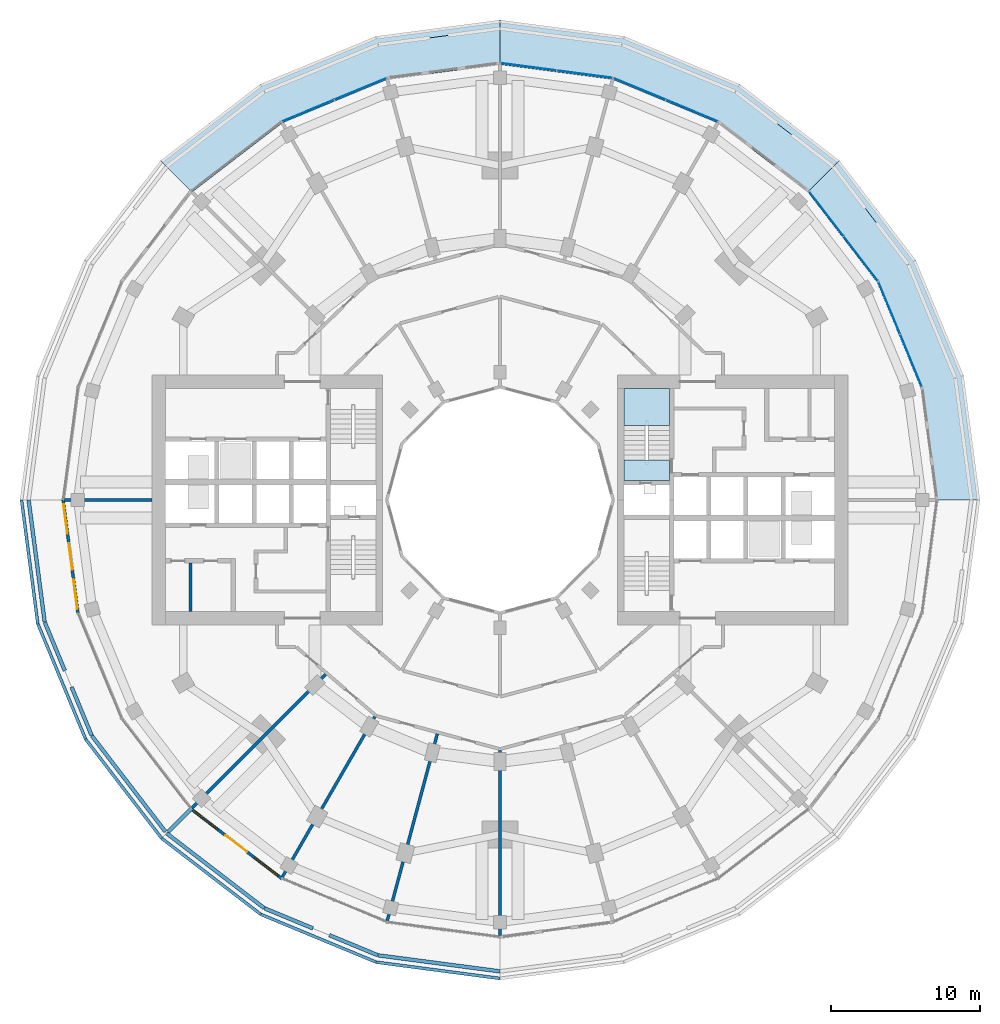
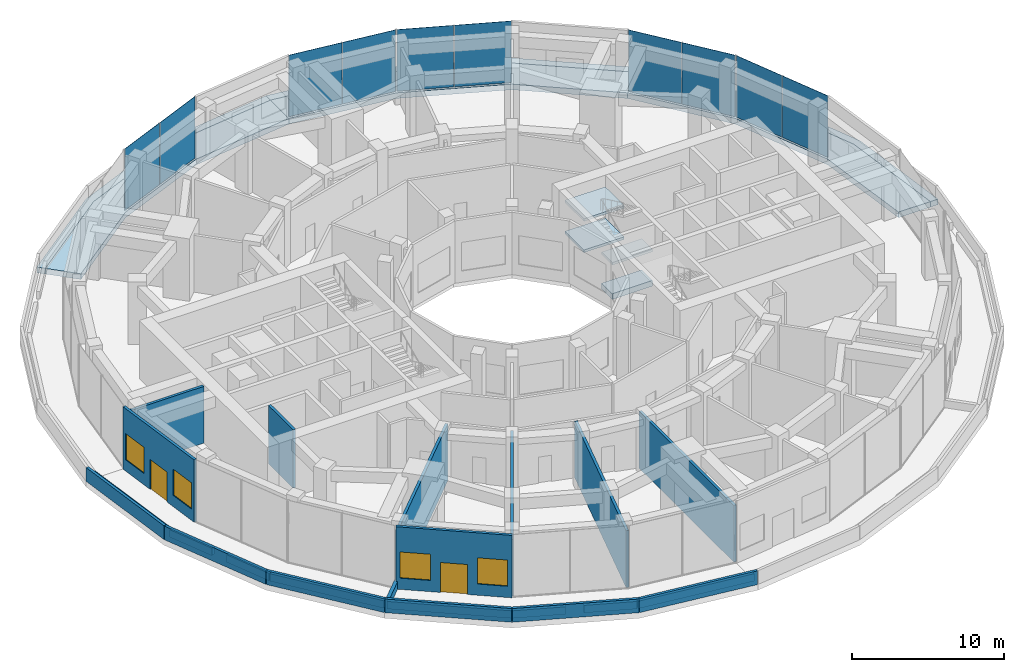
# One storey, part 11 of 19: 23 walls, 10 plates, 10 slabs, 4 windows, 2 doors, 6 openings, 6 elements without a shape of their own.
"""IFC4 building model written with IfcOpenShell, lengths in metres."""

from ifc_helpers import new_model, si_unit, direction, frame, frame_2d, origin, origin_2d, place, context, subcontext, project, spatial, polyline, rectangle, outline, extrude, material, layer, layer_set, type_object, element, fill, aggregate, save


model = new_model("IFC4")

# Units and contexts
model_context = context("Model", 3, precision=1e-05, world=origin(), true_north=direction((0.0, 1.0)))
body_context = subcontext(model_context, "Body", "Model", "MODEL_VIEW")
ifc_project = project(units=[si_unit("LENGTHUNIT", "METRE"), si_unit("AREAUNIT", "SQUARE_METRE"), si_unit("VOLUMEUNIT", "CUBIC_METRE"), si_unit("PLANEANGLEUNIT", "RADIAN"), si_unit("MASSUNIT", "GRAM", prefix="KILO")], contexts=[model_context])

# Site, building, storey
site_placement = place(None, origin())
site = spatial("IfcSite", under=ifc_project, at=site_placement, CompositionType="ELEMENT")
building_placement = place(site_placement, origin())
building = spatial("IfcBuilding", under=site, at=building_placement, Name="Torre Brocal", CompositionType="ELEMENT")
storey_placement = place(building_placement, frame((0.0, 0.0, 23.800048828125)))
storey = spatial("IfcBuildingStorey", under=building, at=storey_placement, Name="L04", CompositionType="ELEMENT", Elevation=23.800048828125)

# Curtain wall, plates
ifc_material_1 = material(Name="Aluminium and glass", Category="aluminium")
ifc_layer_1 = layer(ifc_material_1, 0.199951171875)
ifc_layer_set_1 = layer_set([ifc_layer_1], Name="Aluminium and glass")
curtain_wall_type = type_object("IfcCurtainWallType", Name="CW-6 CURTAIN WALL 5000 HIGH", PredefinedType="NOTDEFINED", material=ifc_layer_set_1)
curtain_wall_1_placement = place(storey_placement, origin())
curtain_wall_1 = element("IfcCurtainWall", 1, at=curtain_wall_1_placement, inside=storey, type_object=curtain_wall_type, Name="CW-6 RUN 2", PredefinedType="NOTDEFINED")
ifc_material_2 = material(Name="Glass, dark tinted laminated", Category="glass")
ifc_layer_2 = layer(ifc_material_2, 0.028076171875)
ifc_layer_set_2 = layer_set([ifc_layer_2], Name="Glass, dark tinted laminated")
plate_type = type_object("IfcPlateType", Name="CW-6 GLASS PANEL 28", PredefinedType="CURTAIN_PANEL", material=ifc_layer_set_2)
plate_1_placement = place(storey_placement, frame((107.658447265625, 84.393310546875, 0.06982421875), z_axis=(0.0, 0.0, 1.0), x_axis=(-0.382683432365, 0.923879532511, 0.0)))
plate_1 = element("IfcPlate", 2, at=plate_1_placement, type_object=plate_type, Name="CW6-3 panel 1.1", PredefinedType="CURTAIN_PANEL", context=body_context, shape_type="SweptSolid", body=[
    extrude(rectangle(XDim=3.762451171875, YDim=0.028076171875, at=origin_2d()), origin(), (0.0, 0.0, 1.0), 4.929931640625),
])
plate_2_placement = place(storey_placement, frame((106.199462890625, 87.915283203125, 0.06982421875), z_axis=(0.0, 0.0, 1.0), x_axis=(-0.382683432365, 0.923879532511, 0.0)))
plate_2 = element("IfcPlate", 3, at=plate_2_placement, type_object=plate_type, Name="CW6-3 panel 2.1", PredefinedType="CURTAIN_PANEL", context=body_context, shape_type="SweptSolid", body=[
    extrude(rectangle(XDim=3.762451171875, YDim=0.028076171875, at=origin_2d()), origin(), (0.0, 0.0, 1.0), 4.929931640625),
])
aggregate(curtain_wall_1, [plate_1, plate_2])

curtain_wall_2_placement = place(storey_placement, origin())
curtain_wall_2 = element("IfcCurtainWall", 4, at=curtain_wall_2_placement, inside=storey, type_object=curtain_wall_type, Name="CW-6 RUN 3", PredefinedType="NOTDEFINED")
plate_3_placement = place(storey_placement, frame((104.28466796875, 91.231689453125, 0.06982421875), z_axis=(0.0, 0.0, 1.0), x_axis=(-0.608761429009, 0.793353340291, 0.0)))
plate_3 = element("IfcPlate", 5, at=plate_3_placement, type_object=plate_type, Name="CW6-3 panel 1.1", PredefinedType="CURTAIN_PANEL", context=body_context, shape_type="SweptSolid", body=[
    extrude(rectangle(XDim=3.762451171875, YDim=0.028076171875, at=origin_2d()), origin(), (0.0, 0.0, 1.0), 4.929931640625),
])
plate_4_placement = place(storey_placement, frame((101.9638671875, 94.256103515625, 0.06982421875), z_axis=(0.0, 0.0, 1.0), x_axis=(-0.608761429009, 0.793353340291, 0.0)))
plate_4 = element("IfcPlate", 6, at=plate_4_placement, type_object=plate_type, Name="CW6-3 panel 2.1", PredefinedType="CURTAIN_PANEL", context=body_context, shape_type="SweptSolid", body=[
    extrude(rectangle(XDim=3.762451171875, YDim=0.028076171875, at=origin_2d()), origin(), (0.0, 0.0, 1.0), 4.929931640625),
])
aggregate(curtain_wall_2, [plate_3, plate_4])

curtain_wall_3_placement = place(storey_placement, origin())
curtain_wall_3 = element("IfcCurtainWall", 7, at=curtain_wall_3_placement, inside=storey, type_object=curtain_wall_type, Name="CW-6 RUN 5", PredefinedType="NOTDEFINED")
plate_5_placement = place(storey_placement, frame((92.915283203125, 101.199462890625, 0.06982421875), z_axis=(0.0, 0.0, 1.0), x_axis=(-0.923879532511, 0.382683432365, 0.0)))
plate_5 = element("IfcPlate", 8, at=plate_5_placement, type_object=plate_type, Name="CW6-3 panel 1.1", PredefinedType="CURTAIN_PANEL", context=body_context, shape_type="SweptSolid", body=[
    extrude(rectangle(XDim=3.762451171875, YDim=0.028076171875, at=origin_2d()), origin(), (0.0, 0.0, 1.0), 4.929931640625),
])
plate_6_placement = place(storey_placement, frame((89.393310546875, 102.658447265625, 0.06982421875), z_axis=(0.0, 0.0, 1.0), x_axis=(-0.923879532511, 0.382683432365, 0.0)))
plate_6 = element("IfcPlate", 9, at=plate_6_placement, type_object=plate_type, Name="CW6-3 panel 2.1", PredefinedType="CURTAIN_PANEL", context=body_context, shape_type="SweptSolid", body=[
    extrude(rectangle(XDim=3.762451171875, YDim=0.028076171875, at=origin_2d()), origin(), (0.0, 0.0, 1.0), 4.929931640625),
])
aggregate(curtain_wall_3, [plate_5, plate_6])

curtain_wall_4_placement = place(storey_placement, origin())
curtain_wall_4 = element("IfcCurtainWall", 10, at=curtain_wall_4_placement, inside=storey, type_object=curtain_wall_type, Name="CW-6 RUN 6", PredefinedType="NOTDEFINED")
plate_7_placement = place(storey_placement, frame((85.6943359375, 103.6494140625, 0.06982421875), z_axis=(0.0, 0.0, 1.0), x_axis=(-0.991444861367, 0.130526192272, 0.0)))
plate_7 = element("IfcPlate", 11, at=plate_7_placement, type_object=plate_type, Name="CW6-3 panel 1.1", PredefinedType="CURTAIN_PANEL", context=body_context, shape_type="SweptSolid", body=[
    extrude(rectangle(XDim=3.762451171875, YDim=0.028076171875, at=origin_2d()), origin(), (0.0, 0.0, 1.0), 4.929931640625),
])
plate_8_placement = place(storey_placement, frame((81.91455078125, 104.14697265625, 0.06982421875), z_axis=(0.0, 0.0, 1.0), x_axis=(-0.991444861367, 0.130526192272, 0.0)))
plate_8 = element("IfcPlate", 12, at=plate_8_placement, type_object=plate_type, Name="CW6-3 panel 2.1", PredefinedType="CURTAIN_PANEL", context=body_context, shape_type="SweptSolid", body=[
    extrude(rectangle(XDim=3.762451171875, YDim=0.028076171875, at=origin_2d()), origin(), (0.0, 0.0, 1.0), 4.929931640625),
])
aggregate(curtain_wall_4, [plate_7, plate_8])

curtain_wall_5_placement = place(storey_placement, origin())
curtain_wall_5 = element("IfcCurtainWall", 13, at=curtain_wall_5_placement, inside=storey, type_object=curtain_wall_type, Name="CW-6 RUN 8", PredefinedType="NOTDEFINED")
plate_9_placement = place(storey_placement, frame((70.606689453125, 102.658447265625, 0.06982421875), z_axis=(0.0, 0.0, 1.0), x_axis=(-0.923879532511, -0.382683432365, 0.0)))
plate_9 = element("IfcPlate", 14, at=plate_9_placement, type_object=plate_type, Name="CW6-3 panel 1.1", PredefinedType="CURTAIN_PANEL", context=body_context, shape_type="SweptSolid", body=[
    extrude(rectangle(XDim=3.762451171875, YDim=0.028076171875, at=origin_2d()), origin(), (0.0, 0.0, 1.0), 4.929931640625),
])
plate_10_placement = place(storey_placement, frame((67.084716796875, 101.199462890625, 0.06982421875), z_axis=(0.0, 0.0, 1.0), x_axis=(-0.923879532511, -0.382683432365, 0.0)))
plate_10 = element("IfcPlate", 15, at=plate_10_placement, type_object=plate_type, Name="CW6-3 panel 2.1", PredefinedType="CURTAIN_PANEL", context=body_context, shape_type="SweptSolid", body=[
    extrude(rectangle(XDim=3.762451171875, YDim=0.028076171875, at=origin_2d()), origin(), (0.0, 0.0, 1.0), 4.929931640625),
])
aggregate(curtain_wall_5, [plate_9, plate_10])

# Stair, slab
ifc_material_3 = material(Name="Concrete C50", Category="concrete")
stair_type = type_object("IfcStairType", Name="EXIT STAIR", PredefinedType="HALF_TURN_STAIR", material=ifc_material_3)
stair_placement = place(storey_placement, origin())
stair = element("IfcStair", 16, at=stair_placement, inside=storey, type_object=stair_type, Name="EXIT STAIR ST1", PredefinedType="HALF_TURN_STAIR")
ifc_material_4 = material(Name="Concrete C50", Category="concrete")
ifc_layer_3 = layer(ifc_material_4, 0.449951171875)
ifc_layer_set_3 = layer_set([ifc_layer_3], Name="Concrete C50")
slab_type_1 = type_object("IfcSlabType", Name="FLOOR LANDING 450", PredefinedType="LANDING", material=ifc_layer_set_3)
slab_1_placement = place(storey_placement, frame((0.0, 0.0, -0.449951171875)))
slab_1 = element("IfcSlab", 17, at=slab_1_placement, type_object=slab_type_1, Name="ST1 landing 1", PredefinedType="LANDING", context=body_context, shape_type="SweptSolid", body=[
    extrude(outline(polyline([(88.35009765625, 76.300048828125), (91.39990234375, 76.300048828125), (91.39990234375, 77.699951171875), (88.35009765625, 77.699951171875), (88.35009765625, 76.300048828125)])), origin(), (0.0, 0.0, 1.0), 0.449951171875),
])

# Slabs
ifc_material_5 = material(Name="Concrete C45", Category="concrete")
ifc_layer_4 = layer(ifc_material_5, 0.449951171875)
ifc_layer_set_4 = layer_set([ifc_layer_4], Name="Concrete C45")
slab_type_2 = type_object("IfcSlabType", Name="GREEN ROOF PLANTING BED SLAB 450 C45", PredefinedType="ROOF", material=ifc_layer_set_4)
slab_2_placement = place(storey_placement, frame((0.0, 0.0, -0.449951171875)))
element("IfcSlab", 18, at=slab_2_placement, inside=storey, type_object=slab_type_2, Name="Slab ST-04", PredefinedType="ROOF", context=body_context, shape_type="SweptSolid", body=[
    extrude(outline(polyline([(112.29833984375, 75.0), (111.718994140625, 75.0), (110.63818359375, 83.20947265625), (107.469482421875, 90.859375), (102.4287109375, 97.4287109375), (102.83837890625, 97.83837890625), (107.97119140625, 91.149169921875), (111.19775390625, 83.359375), (112.29833984375, 75.0)])), origin(), (0.0, 0.0, 1.0), 0.449951171875),
])
slab_3_placement = place(storey_placement, frame((0.0, 0.0, -0.449951171875)))
element("IfcSlab", 19, at=slab_3_placement, inside=storey, type_object=slab_type_2, Name="Slab ST-04", PredefinedType="ROOF", context=body_context, shape_type="SweptSolid", body=[
    extrude(outline(polyline([(102.83837890625, 97.83837890625), (102.4287109375, 97.4287109375), (95.859375, 102.469482421875), (88.20947265625, 105.63818359375), (80.0, 106.718994140625), (80.0, 107.29833984375), (88.359375, 106.19775390625), (96.149169921875, 102.97119140625), (102.83837890625, 97.83837890625)])), origin(), (0.0, 0.0, 1.0), 0.449951171875),
])
slab_4_placement = place(storey_placement, frame((0.0, 0.0, -0.449951171875)))
element("IfcSlab", 20, at=slab_4_placement, inside=storey, type_object=slab_type_2, Name="Slab ST-04", PredefinedType="ROOF", context=body_context, shape_type="SweptSolid", body=[
    extrude(outline(polyline([(57.16162109375, 97.83837890625), (63.850830078125, 102.97119140625), (71.640625, 106.19775390625), (80.0, 107.29833984375), (80.0, 106.718994140625), (71.79052734375, 105.63818359375), (64.140625, 102.469482421875), (57.5712890625, 97.4287109375), (57.16162109375, 97.83837890625)])), origin(), (0.0, 0.0, 1.0), 0.449951171875),
])

# Slab
ifc_material_6 = material(Name="Concrete C50", Category="concrete")
ifc_layer_5 = layer(ifc_material_6, 0.199951171875)
ifc_layer_set_5 = layer_set([ifc_layer_5], Name="Concrete C50")
slab_type_3 = type_object("IfcSlabType", Name="MID LANDING +1250", PredefinedType="LANDING", material=ifc_layer_set_5)
slab_5_placement = place(storey_placement, frame((0.0, 0.0, 1.050048828125)))
slab_5 = element("IfcSlab", 21, at=slab_5_placement, type_object=slab_type_3, Name="ST1 landing 2", PredefinedType="LANDING", context=body_context, shape_type="SweptSolid", body=[
    extrude(outline(polyline([(88.35009765625, 80.010009765625), (91.39990234375, 80.010009765625), (91.39990234375, 82.5), (88.35009765625, 82.5), (88.35009765625, 80.010009765625)])), origin(), (0.0, 0.0, 1.0), 0.199951171875),
])

ifc_material_7 = material(Name="Concrete C50", Category="concrete")
ifc_layer_6 = layer(ifc_material_7, 0.199951171875)
ifc_layer_set_6 = layer_set([ifc_layer_6], Name="Concrete C50")
slab_type_4 = type_object("IfcSlabType", Name="MID LANDING +2500", PredefinedType="LANDING", material=ifc_layer_set_6)
slab_6_placement = place(storey_placement, frame((0.0, 0.0, 2.300048828125)))
slab_6 = element("IfcSlab", 22, at=slab_6_placement, type_object=slab_type_4, Name="ST1 landing 3", PredefinedType="LANDING", context=body_context, shape_type="SweptSolid", body=[
    extrude(outline(polyline([(88.35009765625, 76.300048828125), (91.39990234375, 76.300048828125), (91.39990234375, 77.699951171875), (88.35009765625, 77.699951171875), (88.35009765625, 76.300048828125)])), origin(), (0.0, 0.0, 1.0), 0.199951171875),
])

ifc_material_8 = material(Name="Concrete C50", Category="concrete")
ifc_layer_7 = layer(ifc_material_8, 0.199951171875)
ifc_layer_set_7 = layer_set([ifc_layer_7], Name="Concrete C50")
slab_type_5 = type_object("IfcSlabType", Name="MID LANDING +3750", PredefinedType="LANDING", material=ifc_layer_set_7)
slab_7_placement = place(storey_placement, frame((0.0, 0.0, 3.550048828125)))
slab_7 = element("IfcSlab", 23, at=slab_7_placement, type_object=slab_type_5, Name="ST1 landing 4", PredefinedType="LANDING", context=body_context, shape_type="SweptSolid", body=[
    extrude(outline(polyline([(88.35009765625, 80.010009765625), (91.39990234375, 80.010009765625), (91.39990234375, 82.5), (88.35009765625, 82.5), (88.35009765625, 80.010009765625)])), origin(), (0.0, 0.0, 1.0), 0.199951171875),
])

aggregate(stair, [slab_1, slab_5, slab_6, slab_7])

# Slabs
ifc_material_9 = material(Name="Concrete C45", Category="concrete")
ifc_layer_8 = layer(ifc_material_9, 0.449951171875)
ifc_layer_set_8 = layer_set([ifc_layer_8], Name="Concrete C45")
slab_type_6 = type_object("IfcSlabType", Name="PT TERRACE SLAB 450 C45", PredefinedType="ROOF", material=ifc_layer_set_8)
slab_8_placement = place(storey_placement, frame((0.0, 0.0, -0.449951171875)))
element("IfcSlab", 24, at=slab_8_placement, inside=storey, type_object=slab_type_6, Name="Slab ST-03", PredefinedType="ROOF", context=body_context, shape_type="SweptSolid", body=[
    extrude(outline(polyline([(108.300048828125, 82.5830078125), (105.373046875, 89.649169921875), (100.717041015625, 95.717041015625), (102.4287109375, 97.4287109375), (107.469482421875, 90.859375), (110.63818359375, 83.20947265625), (111.718994140625, 75.0), (109.29833984375, 75.0), (108.300048828125, 82.5830078125)])), origin(), (0.0, 0.0, 1.0), 0.449951171875),
])
slab_9_placement = place(storey_placement, frame((0.0, 0.0, -0.449951171875)))
element("IfcSlab", 25, at=slab_9_placement, inside=storey, type_object=slab_type_6, Name="Slab ST-03", PredefinedType="ROOF", context=body_context, shape_type="SweptSolid", body=[
    extrude(outline(polyline([(94.649169921875, 100.373046875), (87.5830078125, 103.300048828125), (80.0, 104.29833984375), (80.0, 106.718994140625), (88.20947265625, 105.63818359375), (95.859375, 102.469482421875), (102.4287109375, 97.4287109375), (100.717041015625, 95.717041015625), (94.649169921875, 100.373046875)])), origin(), (0.0, 0.0, 1.0), 0.449951171875),
])
slab_10_placement = place(storey_placement, frame((0.0, 0.0, -0.449951171875)))
element("IfcSlab", 26, at=slab_10_placement, inside=storey, type_object=slab_type_6, Name="Slab ST-03", PredefinedType="ROOF", context=body_context, shape_type="SweptSolid", body=[
    extrude(outline(polyline([(72.4169921875, 103.300048828125), (65.350830078125, 100.373046875), (59.282958984375, 95.717041015625), (57.5712890625, 97.4287109375), (64.140625, 102.469482421875), (71.79052734375, 105.63818359375), (80.0, 106.718994140625), (80.0, 104.29833984375), (72.4169921875, 103.300048828125)])), origin(), (0.0, 0.0, 1.0), 0.449951171875),
])

# Wall
ifc_material_10 = material(Name="Masonry block", Category="masonry")
ifc_layer_9 = layer(ifc_material_10, 0.199951171875)
ifc_layer_set_9 = layer_set([ifc_layer_9], Name="Masonry block")
wall_type_1 = type_object("IfcWallType", Name="CORE PARTITION 200", PredefinedType="PARTITIONING", material=ifc_layer_set_9)
wall_1_placement = place(storey_placement, frame((59.172119140625, 70.75, 0.0), z_axis=(0.0, 0.0, 1.0), x_axis=(0.0, -1.0, 0.0)))
element("IfcWall", 27, at=wall_1_placement, inside=storey, type_object=wall_type_1, Name="Wall CP200", PredefinedType="PARTITIONING", context=body_context, shape_type="SweptSolid", body=[
    extrude(rectangle(XDim=3.25, YDim=0.199951171875, at=frame_2d((1.625, 0.0))), origin(), (0.0, 0.0, 1.0), 4.679931640625),
])

# Wall, openings, windows, door
ifc_material_11 = material(Name="Concrete C40", Category="concrete")
ifc_layer_10 = layer(ifc_material_11, 0.199951171875)
ifc_layer_set_10 = layer_set([ifc_layer_10], Name="Concrete C40")
wall_type_2 = type_object("IfcWallType", Name="EXTERNAL WALL 200", PredefinedType="NOTDEFINED", material=ifc_layer_set_10)
wall_2_placement = place(storey_placement, frame((50.600830078125, 75.0, 0.0), z_axis=(0.0, 0.0, 1.0), x_axis=(0.130519519698, -0.991445739805, 0.0)))
wall_2 = element("IfcWall", 28, at=wall_2_placement, inside=storey, type_object=wall_type_2, Name="EXTERNAL WALL", PredefinedType="NOTDEFINED", context=body_context, shape_type="SweptSolid", body=[
    extrude(rectangle(XDim=7.6748046875, YDim=0.199951171875, at=frame_2d((3.83740234375, 0.0))), origin(), (0.0, 0.0, 1.0), 5.0),
])
opening_1_placement = place(wall_2_placement, frame((0.279052734375, 0.0, 0.89990234375)))
opening_1 = element("IfcOpeningElement", 29, at=opening_1_placement, cuts=wall_2, Name="Opening W8", PredefinedType="OPENING", context=body_context, shape_type="SweptSolid", body=[
    extrude(rectangle(XDim=2.0, YDim=2.10009765625, at=frame_2d((1.0, 1.050048828125))), frame((0.0, 0.10986328125, 0.0), z_axis=(0.0, -1.0, 0.0), x_axis=(1.0, 0.0, 0.0)), (0.0, 0.0, 1.0), 0.219970703125),
])
opening_2_placement = place(wall_2_placement, frame((2.937255859375, 0.0, 0.0)))
opening_2 = element("IfcOpeningElement", 30, at=opening_2_placement, cuts=wall_2, Name="Opening L04-E05", PredefinedType="OPENING", context=body_context, shape_type="SweptSolid", body=[
    extrude(rectangle(XDim=1.800048828125, YDim=2.39990234375, at=frame_2d((0.89990234375, 1.199951171875))), frame((0.0, 0.10986328125, 0.0), z_axis=(0.0, -1.0, 0.0), x_axis=(1.0, 0.0, 0.0)), (0.0, 0.0, 1.0), 0.219970703125),
])
opening_3_placement = place(wall_2_placement, frame((5.3955078125, 0.0, 0.89990234375)))
opening_3 = element("IfcOpeningElement", 31, at=opening_3_placement, cuts=wall_2, Name="Opening W8", PredefinedType="OPENING", context=body_context, shape_type="SweptSolid", body=[
    extrude(rectangle(XDim=2.0, YDim=2.10009765625, at=frame_2d((1.0, 1.050048828125))), frame((0.0, 0.10986328125, 0.0), z_axis=(0.0, -1.0, 0.0), x_axis=(1.0, 0.0, 0.0)), (0.0, 0.0, 1.0), 0.219970703125),
])
ifc_material_12 = material(Name="Aluminium and glass", Category="aluminium")
window_type = type_object("IfcWindowType", Name="PODIUM WINDOW 2000X2100", PartitioningType="SINGLE_PANEL", PredefinedType="WINDOW", material=ifc_material_12)
window_1_placement = place(opening_1_placement, origin())
window_1 = element("IfcWindow", 32, at=window_1_placement, inside=storey, type_object=window_type, Name="PODIUM WINDOW 2000X2100", OverallHeight=2.10009765625, OverallWidth=2.0, PartitioningType="SINGLE_PANEL", PredefinedType="WINDOW", context=body_context, shape_type="SweptSolid", body=[
    extrude(rectangle(XDim=2.0, YDim=2.10009765625, at=frame_2d((1.0, 1.050048828125))), frame((0.0, 0.030029296875, 0.0), z_axis=(0.0, -1.0, 0.0), x_axis=(1.0, 0.0, 0.0)), (0.0, 0.0, 1.0), 0.06005859375),
])
fill(opening_1, window_1)
window_2_placement = place(opening_3_placement, origin())
window_2 = element("IfcWindow", 33, at=window_2_placement, inside=storey, type_object=window_type, Name="PODIUM WINDOW 2000X2100", OverallHeight=2.10009765625, OverallWidth=2.0, PartitioningType="SINGLE_PANEL", PredefinedType="WINDOW", context=body_context, shape_type="SweptSolid", body=[
    extrude(rectangle(XDim=2.0, YDim=2.10009765625, at=frame_2d((1.0, 1.050048828125))), frame((0.0, 0.030029296875, 0.0), z_axis=(0.0, -1.0, 0.0), x_axis=(1.0, 0.0, 0.0)), (0.0, 0.0, 1.0), 0.06005859375),
])
fill(opening_3, window_2)
ifc_material_13 = material(Name="Aluminium and glass", Category="aluminium")
door_type = type_object("IfcDoorType", Name="TERRACE DOUBLE DOOR 1800X2400", OperationType="DOUBLE_DOOR_SINGLE_SWING", PredefinedType="DOOR", material=ifc_material_13)
door_1_placement = place(opening_2_placement, frame((1.800048828125, 0.0, 0.0), z_axis=(0.0, 0.0, 1.0), x_axis=(-1.0, 0.0, 0.0)))
door_1 = element("IfcDoor", 34, at=door_1_placement, inside=storey, type_object=door_type, Name="DOOR L04-E05", OperationType="DOUBLE_DOOR_SINGLE_SWING", OverallHeight=2.39990234375, OverallWidth=1.800048828125, PredefinedType="DOOR", context=body_context, shape_type="SweptSolid", body=[
    extrude(rectangle(XDim=1.800048828125, YDim=2.39990234375, at=frame_2d((0.89990234375, 1.199951171875))), frame((0.0, 0.02490234375, 0.0), z_axis=(0.0, -1.0, 0.0), x_axis=(1.0, 0.0, 0.0)), (0.0, 0.0, 1.0), 0.050048828125),
])
fill(opening_2, door_1)

wall_3_placement = place(storey_placement, frame((59.211669921875, 54.211669921875, 0.0), z_axis=(0.0, 0.0, 1.0), x_axis=(0.793355415567, -0.608758724447, 0.0)))
wall_3 = element("IfcWall", 35, at=wall_3_placement, inside=storey, type_object=wall_type_2, Name="EXTERNAL WALL", PredefinedType="NOTDEFINED", context=body_context, shape_type="SweptSolid", body=[
    extrude(rectangle(XDim=7.6748046875, YDim=0.199951171875, at=frame_2d((3.83740234375, 0.0))), origin(), (0.0, 0.0, 1.0), 5.0),
])
opening_4_placement = place(wall_3_placement, frame((0.279052734375, 0.0, 0.89990234375)))
opening_4 = element("IfcOpeningElement", 36, at=opening_4_placement, cuts=wall_3, Name="Opening W8", PredefinedType="OPENING", context=body_context, shape_type="SweptSolid", body=[
    extrude(rectangle(XDim=2.0, YDim=2.10009765625, at=frame_2d((1.0, 1.050048828125))), frame((0.0, 0.10986328125, 0.0), z_axis=(0.0, -1.0, 0.0), x_axis=(1.0, 0.0, 0.0)), (0.0, 0.0, 1.0), 0.219970703125),
])
opening_5_placement = place(wall_3_placement, frame((2.937255859375, 0.0, 0.0)))
opening_5 = element("IfcOpeningElement", 37, at=opening_5_placement, cuts=wall_3, Name="Opening L04-E06", PredefinedType="OPENING", context=body_context, shape_type="SweptSolid", body=[
    extrude(rectangle(XDim=1.800048828125, YDim=2.39990234375, at=frame_2d((0.89990234375, 1.199951171875))), frame((0.0, 0.10986328125, 0.0), z_axis=(0.0, -1.0, 0.0), x_axis=(1.0, 0.0, 0.0)), (0.0, 0.0, 1.0), 0.219970703125),
])
opening_6_placement = place(wall_3_placement, frame((5.3955078125, 0.0, 0.89990234375)))
opening_6 = element("IfcOpeningElement", 38, at=opening_6_placement, cuts=wall_3, Name="Opening W8", PredefinedType="OPENING", context=body_context, shape_type="SweptSolid", body=[
    extrude(rectangle(XDim=2.0, YDim=2.10009765625, at=frame_2d((1.0, 1.050048828125))), frame((0.0, 0.10986328125, 0.0), z_axis=(0.0, -1.0, 0.0), x_axis=(1.0, 0.0, 0.0)), (0.0, 0.0, 1.0), 0.219970703125),
])
window_3_placement = place(opening_4_placement, origin())
window_3 = element("IfcWindow", 39, at=window_3_placement, inside=storey, type_object=window_type, Name="PODIUM WINDOW 2000X2100", OverallHeight=2.10009765625, OverallWidth=2.0, PartitioningType="SINGLE_PANEL", PredefinedType="WINDOW", context=body_context, shape_type="SweptSolid", body=[
    extrude(rectangle(XDim=2.0, YDim=2.10009765625, at=frame_2d((1.0, 1.050048828125))), frame((0.0, 0.030029296875, 0.0), z_axis=(0.0, -1.0, 0.0), x_axis=(1.0, 0.0, 0.0)), (0.0, 0.0, 1.0), 0.06005859375),
])
fill(opening_4, window_3)
window_4_placement = place(opening_6_placement, origin())
window_4 = element("IfcWindow", 40, at=window_4_placement, inside=storey, type_object=window_type, Name="PODIUM WINDOW 2000X2100", OverallHeight=2.10009765625, OverallWidth=2.0, PartitioningType="SINGLE_PANEL", PredefinedType="WINDOW", context=body_context, shape_type="SweptSolid", body=[
    extrude(rectangle(XDim=2.0, YDim=2.10009765625, at=frame_2d((1.0, 1.050048828125))), frame((0.0, 0.030029296875, 0.0), z_axis=(0.0, -1.0, 0.0), x_axis=(1.0, 0.0, 0.0)), (0.0, 0.0, 1.0), 0.06005859375),
])
fill(opening_6, window_4)
door_2_placement = place(opening_5_placement, frame((1.800048828125, 0.0, 0.0), z_axis=(0.0, 0.0, 1.0), x_axis=(-1.0, 0.0, 0.0)))
door_2 = element("IfcDoor", 41, at=door_2_placement, inside=storey, type_object=door_type, Name="DOOR L04-E06", OperationType="DOUBLE_DOOR_SINGLE_SWING", OverallHeight=2.39990234375, OverallWidth=1.800048828125, PredefinedType="DOOR", context=body_context, shape_type="SweptSolid", body=[
    extrude(rectangle(XDim=1.800048828125, YDim=2.39990234375, at=frame_2d((0.89990234375, 1.199951171875))), frame((0.0, 0.02490234375, 0.0), z_axis=(0.0, -1.0, 0.0), x_axis=(1.0, 0.0, 0.0)), (0.0, 0.0, 1.0), 0.050048828125),
])
fill(opening_5, door_2)

# Walls
ifc_material_14 = material(Name="Concrete C40", Category="concrete")
ifc_layer_11 = layer(ifc_material_14, 0.199951171875)
ifc_layer_set_11 = layer_set([ifc_layer_11], Name="Concrete C40")
wall_type_3 = type_object("IfcWallType", Name="PARAPET WALL 200 THICK 1100 HIGH 4", PredefinedType="PARAPET", material=ifc_layer_set_11)
wall_4_placement = place(storey_placement, frame((79.987060546875, 42.80419921875, 0.0), z_axis=(0.0, 0.0, 1.0), x_axis=(-0.991443879237, 0.13053365207, 0.0)))
element("IfcWall", 42, at=wall_4_placement, inside=storey, type_object=wall_type_3, Name="PARAPET WALL 7", PredefinedType="PARAPET", context=body_context, shape_type="SweptSolid", body=[
    extrude(rectangle(XDim=8.379150390625, YDim=0.199951171875, at=frame_2d((4.189453125, 0.0))), origin(), (0.0, 0.0, 1.0), 1.099853515625),
])
wall_5_placement = place(storey_placement, frame((71.654541015625, 43.90478515625, 0.0), z_axis=(0.0, 0.0, 1.0), x_axis=(-0.923884368379, 0.382671757338, 0.0)))
element("IfcWall", 43, at=wall_5_placement, inside=storey, type_object=wall_type_3, Name="PARAPET WALL 8", PredefinedType="PARAPET", context=body_context, shape_type="SweptSolid", body=[
    extrude(rectangle(XDim=8.378662109375, YDim=0.199951171875, at=frame_2d((4.189453125, 0.0))), origin(), (0.0, 0.0, 1.0), 1.099853515625),
])
for number, where, z_axis, x_axis, name in (
    (44, (63.890869140625, 47.124267578125, 0.0), (0.0, 0.0, 1.0), (-0.793350233536, 0.60876547779, 0.0), "PARAPET WALL 9"),
    (45, (57.22509765625, 52.243408203125, 0.0), (0.0, 0.0, 1.0), (-0.60876547779, 0.793350233536, 0.0), "PARAPET WALL 10"),
):
    element("IfcWall", number, at=place(storey_placement, frame(where, z_axis=z_axis, x_axis=x_axis)), inside=storey, type_object=wall_type_3, Name=name, PredefinedType="PARAPET", context=body_context, shape_type="SweptSolid", body=[
        extrude(rectangle(XDim=8.37890625, YDim=0.199951171875, at=frame_2d((4.189453125, 0.0))), origin(), (0.0, 0.0, 1.0), 1.099853515625),
    ])
wall_6_placement = place(storey_placement, frame((52.111083984375, 58.91357421875, 0.0), z_axis=(0.0, 0.0, 1.0), x_axis=(-0.382671757338, 0.923884368379, 0.0)))
element("IfcWall", 46, at=wall_6_placement, inside=storey, type_object=wall_type_3, Name="PARAPET WALL 11", PredefinedType="PARAPET", context=body_context, shape_type="SweptSolid", body=[
    extrude(rectangle(XDim=8.378662109375, YDim=0.199951171875, at=frame_2d((4.189453125, 0.0))), origin(), (0.0, 0.0, 1.0), 1.099853515625),
])
wall_7_placement = place(storey_placement, frame((48.89794921875, 66.6796875, 0.0), z_axis=(0.0, 0.0, 1.0), x_axis=(-0.13053365207, 0.991443879237, 0.0)))
element("IfcWall", 47, at=wall_7_placement, inside=storey, type_object=wall_type_3, Name="PARAPET WALL 12", PredefinedType="PARAPET", context=body_context, shape_type="SweptSolid", body=[
    extrude(rectangle(XDim=8.379150390625, YDim=0.199951171875, at=frame_2d((4.189453125, 0.0))), origin(), (0.0, 0.0, 1.0), 1.099853515625),
])
ifc_material_15 = material(Name="Gypsum board", Category="Gypsum")
ifc_layer_12 = layer(ifc_material_15, 0.199951171875)
ifc_layer_set_12 = layer_set([ifc_layer_12], Name="Gypsum board")
wall_type_4 = type_object("IfcWallType", Name="PARTITION 200 EI60", PredefinedType="PARTITIONING", material=ifc_layer_set_12)
wall_8_placement = place(storey_placement, frame((50.702880859375, 75.0, 0.0), z_axis=(0.0, 0.0, 1.0), x_axis=(1.0, 0.0, 0.0)))
element("IfcWall", 48, at=wall_8_placement, inside=storey, type_object=wall_type_4, Name="PARTY PARTITION", PredefinedType="PARTITIONING", context=body_context, shape_type="SweptSolid", body=[
    extrude(rectangle(XDim=5.896240234375, YDim=0.199951171875, at=frame_2d((2.9482421875, 0.0))), origin(), (0.0, 0.0, 1.0), 4.550048828125),
])
wall_9_placement = place(storey_placement, frame((59.283447265625, 54.283935546875, 0.0), z_axis=(0.0, 0.0, 1.0), x_axis=(0.707106781187, 0.707106781187, 0.0)))
element("IfcWall", 49, at=wall_9_placement, inside=storey, type_object=wall_type_4, Name="PARTY PARTITION", PredefinedType="PARTITIONING", context=body_context, shape_type="SweptSolid", body=[
    extrude(rectangle(XDim=12.70166015625, YDim=0.199951171875, at=frame_2d((6.350830078125, 0.0))), origin(), (0.0, 0.0, 1.0), 4.550048828125),
])
wall_10_placement = place(storey_placement, frame((65.349853515625, 49.62841796875, 0.0), z_axis=(0.0, 0.0, 1.0), x_axis=(0.500053262448, 0.865994650512, 0.0)))
element("IfcWall", 50, at=wall_10_placement, inside=storey, type_object=wall_type_4, Name="PARTY PARTITION", PredefinedType="PARTITIONING", context=body_context, shape_type="SweptSolid", body=[
    extrude(rectangle(XDim=12.457275390625, YDim=0.199951171875, at=frame_2d((6.228515625, 0.0))), origin(), (0.0, 0.0, 1.0), 4.550048828125),
])
wall_11_placement = place(storey_placement, frame((72.416015625, 46.700927734375, 0.0), z_axis=(0.0, 0.0, 1.0), x_axis=(0.258857408966, 0.965915545906, 0.0)))
element("IfcWall", 51, at=wall_11_placement, inside=storey, type_object=wall_type_4, Name="PARTY PARTITION", PredefinedType="PARTITIONING", context=body_context, shape_type="SweptSolid", body=[
    extrude(rectangle(XDim=13.0087890625, YDim=0.199951171875, at=frame_2d((6.50439453125, 0.0))), origin(), (0.0, 0.0, 1.0), 4.550048828125),
])
wall_12_placement = place(storey_placement, frame((80.0, 45.701904296875, 0.0), z_axis=(0.0, 0.0, 1.0), x_axis=(0.0, 1.0, 0.0)))
element("IfcWall", 52, at=wall_12_placement, inside=storey, type_object=wall_type_4, Name="PARTY PARTITION", PredefinedType="PARTITIONING", context=body_context, shape_type="SweptSolid", body=[
    extrude(rectangle(XDim=12.447998046875, YDim=0.199951171875, at=frame_2d((6.22412109375, 0.0))), origin(), (0.0, 0.0, 1.0), 4.550048828125),
])
ifc_material_16 = material(Name="Concrete C35", Category="concrete")
ifc_layer_13 = layer(ifc_material_16, 0.25)
ifc_layer_set_13 = layer_set([ifc_layer_13], Name="Concrete C35")
wall_type_5 = type_object("IfcWallType", Name="PLANTER WALL 250 THICK 600 HIGH 4", PredefinedType="USERDEFINED", material=ifc_layer_set_13)
wall_13_placement = place(storey_placement, frame((59.282958984375, 54.282958984375, 0.0), z_axis=(0.0, 0.0, 1.0), x_axis=(-0.707106781187, -0.707106781187, 0.0)))
element("IfcWall", 53, at=wall_13_placement, inside=storey, type_object=wall_type_5, Name="PLANTER", ObjectType="PLANTER", PredefinedType="USERDEFINED", context=body_context, shape_type="SweptSolid", body=[
    extrude(rectangle(XDim=2.278076171875, YDim=0.25, at=frame_2d((1.13916015625, 0.0))), origin(), (0.0, 0.0, 1.0), 0.599853515625),
])
wall_14_placement = place(storey_placement, frame((57.484619140625, 52.684326171875, 0.0), z_axis=(0.0, 0.0, 1.0), x_axis=(-0.608770387234, 0.793346466323, 0.0)))
element("IfcWall", 54, at=wall_14_placement, inside=storey, type_object=wall_type_5, Name="PLANTER", ObjectType="PLANTER", PredefinedType="USERDEFINED", context=body_context, shape_type="SweptSolid", body=[
    extrude(rectangle(XDim=8.121337890625, YDim=0.25, at=frame_2d((4.060546875, 0.0))), origin(), (0.0, 0.0, 1.0), 0.599853515625),
])
for number, where, z_axis, x_axis, name in (
    (55, (52.524169921875, 59.15576171875, 0.0), (0.0, 0.0, 1.0), (-0.382676120147, 0.923882561297, 0.0), "PLANTER"),
    (56, (50.716552734375, 63.519775390625, 0.0), (0.0, 0.0, 1.0), (-0.382651625058, 0.923892706888, 0.0), "PLANTER"),
):
    element("IfcWall", number, at=place(storey_placement, frame(where, z_axis=z_axis, x_axis=x_axis)), inside=storey, type_object=wall_type_5, Name=name, ObjectType="PLANTER", PredefinedType="USERDEFINED", context=body_context, shape_type="SweptSolid", body=[
        extrude(rectangle(XDim=3.523681640625, YDim=0.25, at=frame_2d((1.76171875, 0.0))), origin(), (0.0, 0.0, 1.0), 0.599853515625),
    ])
for number, where, z_axis, x_axis, name in (
    (57, (49.359619140625, 66.806884765625, 0.0), (0.0, 0.0, 1.0), (-0.130522528341, 0.991445343726, 0.0), "PLANTER"),
    (58, (80.0, 43.281005859375, 0.0), (0.0, 0.0, 1.0), (-0.991445343726, 0.130522528341, 0.0), "PLANTER"),
):
    element("IfcWall", number, at=place(storey_placement, frame(where, z_axis=z_axis, x_axis=x_axis)), inside=storey, type_object=wall_type_5, Name=name, ObjectType="PLANTER", PredefinedType="USERDEFINED", context=body_context, shape_type="SweptSolid", body=[
        extrude(rectangle(XDim=8.263916015625, YDim=0.25, at=frame_2d((4.1318359375, 0.0))), origin(), (0.0, 0.0, 1.0), 0.599853515625),
    ])
for number, where, z_axis, x_axis, name in (
    (59, (71.775390625, 44.3681640625, 0.0), (0.0, 0.0, 1.0), (-0.923892706888, 0.382651625058, 0.0), "PLANTER"),
    (60, (67.4111328125, 46.17578125, 0.0), (0.0, 0.0, 1.0), (-0.923882561297, 0.382676120147, 0.0), "PLANTER"),
):
    element("IfcWall", number, at=place(storey_placement, frame(where, z_axis=z_axis, x_axis=x_axis)), inside=storey, type_object=wall_type_5, Name=name, ObjectType="PLANTER", PredefinedType="USERDEFINED", context=body_context, shape_type="SweptSolid", body=[
        extrude(rectangle(XDim=3.523681640625, YDim=0.25, at=frame_2d((1.76171875, 0.0))), origin(), (0.0, 0.0, 1.0), 0.599853515625),
    ])
wall_15_placement = place(storey_placement, frame((64.12744140625, 47.54052734375, 0.0), z_axis=(0.0, 0.0, 1.0), x_axis=(-0.793340216104, 0.608778532401, 0.0)))
element("IfcWall", 61, at=wall_15_placement, inside=storey, type_object=wall_type_5, Name="PLANTER", ObjectType="PLANTER", PredefinedType="USERDEFINED", context=body_context, shape_type="SweptSolid", body=[
    extrude(rectangle(XDim=8.255615234375, YDim=0.25, at=frame_2d((4.1279296875, 0.0))), origin(), (0.0, 0.0, 1.0), 0.599853515625),
])

save(model, "model.ifc")
